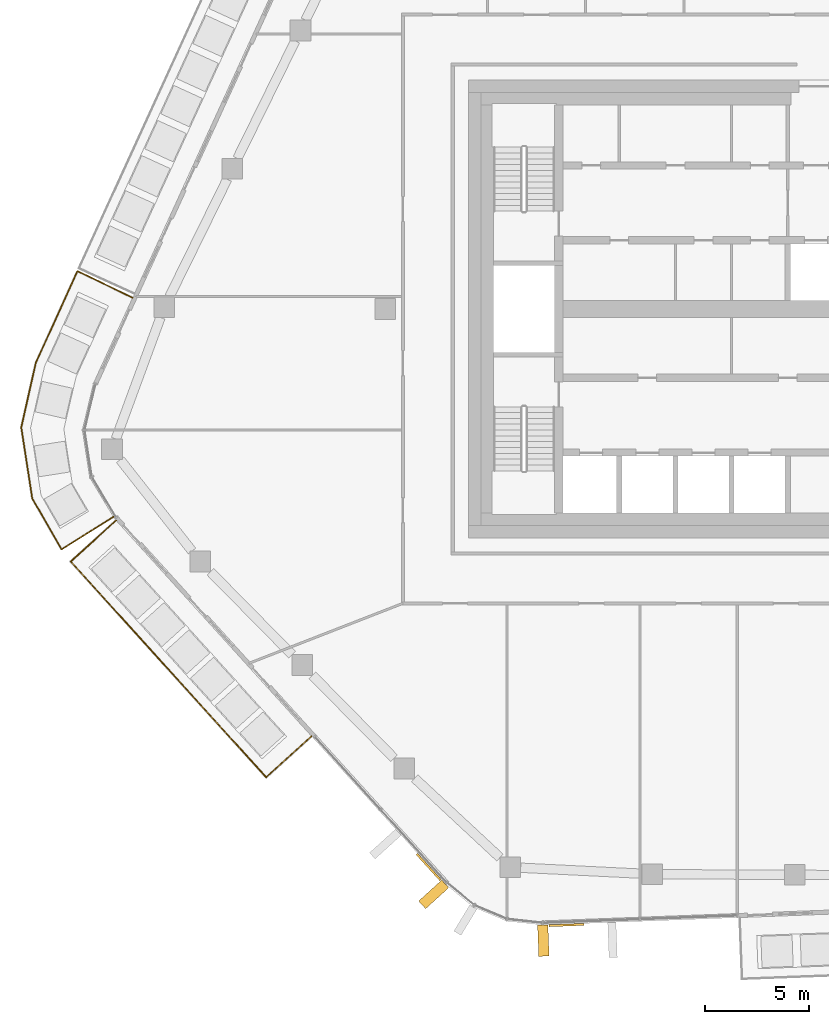
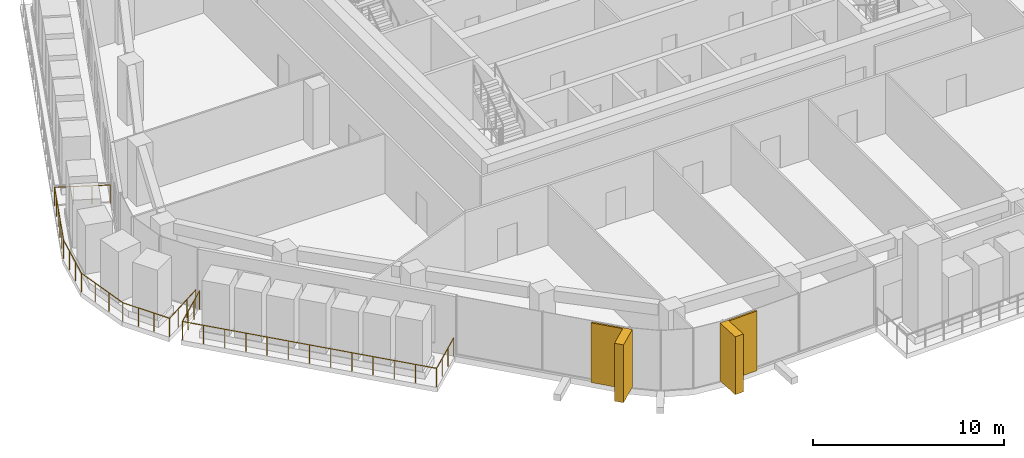
# One storey, part 18 of 23: 4 coverings, 2 railings, 2 elements without a shape of their own.
"""IFC4 building model written with IfcOpenShell, lengths in metres."""

from ifc_helpers import new_model, si_unit, direction, frame, origin, origin_2d, place, context, subcontext, project, spatial, rectangle, circle, extrude, material, layer, layer_set, material_profile, profile_set, type_object, element, aggregate, save


model = new_model("IFC4")

# Units and contexts
model_context = context("Model", 3, precision=1e-05, world=origin(), true_north=direction((0.0, 1.0)))
body_context = subcontext(model_context, "Body", "Model", "MODEL_VIEW")
ifc_project = project(units=[si_unit("LENGTHUNIT", "METRE"), si_unit("AREAUNIT", "SQUARE_METRE"), si_unit("VOLUMEUNIT", "CUBIC_METRE"), si_unit("PLANEANGLEUNIT", "RADIAN"), si_unit("MASSUNIT", "GRAM", prefix="KILO")], contexts=[model_context])

# Site, building, storey
site_placement = place(None, origin())
site = spatial("IfcSite", under=ifc_project, at=site_placement, CompositionType="ELEMENT")
building_placement = place(site_placement, origin())
building = spatial("IfcBuilding", under=site, at=building_placement, Name="Dongbaek Canopy Tower", CompositionType="ELEMENT")
storey_placement = place(building_placement, frame((0.0, 0.0, 315.199951171875)))
storey = spatial("IfcBuildingStorey", under=building, at=storey_placement, Name="L67", CompositionType="ELEMENT", Elevation=315.199951171875)

# Railings
ifc_material_1 = material(Name="Stainless steel", Category="steel")
railing_type = type_object("IfcRailingType", Name="Balcony balustrade 1200", PredefinedType="BALUSTRADE", material=ifc_material_1)
railing_1_placement = place(storey_placement, frame((-30.14013671875, 0.542236328125, 0.0)))
element("IfcRailing", 1, at=railing_1_placement, inside=storey, type_object=railing_type, Name="Balcony guard L67 6", PredefinedType="BALUSTRADE", context=body_context, shape_type="SweptSolid", body=[
    extrude(circle(Radius=0.02392578125, at=origin_2d()), frame((0.0, 0.0, 1.17578125), z_axis=(-0.900809276441, 0.434214978413, 0.0), x_axis=(-0.434214978413, -0.900809276441, 0.0)), (0.0, 0.0, 1.0), 2.940673828125),
    extrude(circle(Radius=0.02392578125, at=origin_2d()), frame((-2.64892578125, 1.27685546875, 1.17578125), z_axis=(-0.413113515831, -0.910679539156, 0.0), x_axis=(0.910679539156, -0.413113515831, 0.0)), (0.0, 0.0, 1.0), 4.856689453125),
    extrude(circle(Radius=0.02392578125, at=origin_2d()), frame((-4.6552734375, -3.14599609375, 1.17578125), z_axis=(-0.219794695374, -0.975546150567, 0.0), x_axis=(0.975546150567, -0.219794695374, 0.0)), (0.0, 0.0, 1.0), 3.166748046875),
    extrude(circle(Radius=0.02392578125, at=origin_2d()), frame((-5.351318359375, -6.2353515625, 1.17578125), z_axis=(0.152977389542, -0.988229689034, 0.0), x_axis=(0.988229689034, 0.152977389542, 0.0)), (0.0, 0.0, 1.0), 3.44873046875),
    extrude(circle(Radius=0.02392578125, at=origin_2d()), frame((-4.82373046875, -9.6435546875, 1.17578125), z_axis=(0.498856538672, -0.866684575739, 0.0), x_axis=(0.866684575739, 0.498856538672, 0.0)), (0.0, 0.0, 1.0), 2.832275390625),
    extrude(circle(Radius=0.02392578125, at=origin_2d()), frame((-3.410888671875, -12.09814453125, 1.17578125), z_axis=(0.846103874328, 0.533018042703, 0.0), x_axis=(-0.533018042703, 0.846103874328, 0.0)), (0.0, 0.0, 1.0), 2.940673828125),
    extrude(circle(Radius=0.02099609375, at=origin_2d()), origin(), (0.0, 0.0, 1.0), 1.15185546875),
    extrude(circle(Radius=0.02099609375, at=origin_2d()), frame((-0.883056640625, 0.425537109375, 0.0)), (0.0, 0.0, 1.0), 1.15185546875),
    extrude(circle(Radius=0.02099609375, at=origin_2d()), frame((-1.765869140625, 0.851318359375, 0.0)), (0.0, 0.0, 1.0), 1.15185546875),
    extrude(circle(Radius=0.02099609375, at=origin_2d()), frame((-2.64892578125, 1.27685546875, 0.0)), (0.0, 0.0, 1.0), 1.15185546875),
    extrude(circle(Radius=0.02099609375, at=origin_2d()), frame((-3.05029296875, 0.392333984375, 0.0)), (0.0, 0.0, 1.0), 1.15185546875),
    extrude(circle(Radius=0.02099609375, at=origin_2d()), frame((-3.451416015625, -0.4921875, 0.0)), (0.0, 0.0, 1.0), 1.15185546875),
    extrude(circle(Radius=0.02099609375, at=origin_2d()), frame((-3.852783203125, -1.376953125, 0.0)), (0.0, 0.0, 1.0), 1.15185546875),
    extrude(circle(Radius=0.02099609375, at=origin_2d()), frame((-4.25390625, -2.261474609375, 0.0)), (0.0, 0.0, 1.0), 1.15185546875),
    extrude(circle(Radius=0.02099609375, at=origin_2d()), frame((-4.6552734375, -3.14599609375, 0.0)), (0.0, 0.0, 1.0), 1.15185546875),
    extrude(circle(Radius=0.02099609375, at=origin_2d()), frame((-4.88720703125, -4.17578125, 0.0)), (0.0, 0.0, 1.0), 1.15185546875),
    extrude(circle(Radius=0.02099609375, at=origin_2d()), frame((-5.119384765625, -5.20556640625, 0.0)), (0.0, 0.0, 1.0), 1.15185546875),
    extrude(circle(Radius=0.02099609375, at=origin_2d()), frame((-5.351318359375, -6.2353515625, 0.0)), (0.0, 0.0, 1.0), 1.15185546875),
    extrude(circle(Radius=0.02099609375, at=origin_2d()), frame((-5.175537109375, -7.371337890625, 0.0)), (0.0, 0.0, 1.0), 1.15185546875),
    extrude(circle(Radius=0.02099609375, at=origin_2d()), frame((-4.99951171875, -8.507568359375, 0.0)), (0.0, 0.0, 1.0), 1.15185546875),
    extrude(circle(Radius=0.02099609375, at=origin_2d()), frame((-4.82373046875, -9.6435546875, 0.0)), (0.0, 0.0, 1.0), 1.15185546875),
    extrude(circle(Radius=0.02099609375, at=origin_2d()), frame((-4.352783203125, -10.461669921875, 0.0)), (0.0, 0.0, 1.0), 1.15185546875),
    extrude(circle(Radius=0.02099609375, at=origin_2d()), frame((-3.8818359375, -11.280029296875, 0.0)), (0.0, 0.0, 1.0), 1.15185546875),
    extrude(circle(Radius=0.02099609375, at=origin_2d()), frame((-3.410888671875, -12.09814453125, 0.0)), (0.0, 0.0, 1.0), 1.15185546875),
    extrude(circle(Radius=0.02099609375, at=origin_2d()), frame((-2.58154296875, -11.57568359375, 0.0)), (0.0, 0.0, 1.0), 1.15185546875),
    extrude(circle(Radius=0.02099609375, at=origin_2d()), frame((-1.752197265625, -11.05322265625, 0.0)), (0.0, 0.0, 1.0), 1.15185546875),
    extrude(circle(Radius=0.02099609375, at=origin_2d()), frame((-0.9228515625, -10.53076171875, 0.0)), (0.0, 0.0, 1.0), 1.15185546875),
])
railing_2_placement = place(storey_placement, frame((-30.932373046875, -10.164306640625, 0.0)))
element("IfcRailing", 2, at=railing_2_placement, inside=storey, type_object=railing_type, Name="Balcony guard L67 3", PredefinedType="BALUSTRADE", context=body_context, shape_type="SweptSolid", body=[
    extrude(circle(Radius=0.02392578125, at=origin_2d()), frame((0.0, 0.0, 1.17578125), z_axis=(-0.741279984861, -0.671195935659, 0.0), x_axis=(0.671195935659, -0.741279984861, 0.0)), (0.0, 0.0, 1.0), 2.940185546875),
    extrude(circle(Radius=0.02392578125, at=origin_2d()), frame((-2.179443359375, -1.973388671875, 1.17578125), z_axis=(0.671228063457, -0.741250893307, 0.0), x_axis=(0.741250893307, 0.671228063457, 0.0)), (0.0, 0.0, 1.0), 13.99169921875),
    extrude(circle(Radius=0.02392578125, at=origin_2d()), frame((7.212158203125, -12.3447265625, 1.17578125), z_axis=(0.741279984861, 0.671195935659, 0.0), x_axis=(-0.671195935659, 0.741279984861, 0.0)), (0.0, 0.0, 1.0), 2.940185546875),
    extrude(circle(Radius=0.02099609375, at=origin_2d()), origin(), (0.0, 0.0, 1.0), 1.15185546875),
    extrude(circle(Radius=0.02099609375, at=origin_2d()), frame((-0.7265625, -0.65771484375, 0.0)), (0.0, 0.0, 1.0), 1.15185546875),
    extrude(circle(Radius=0.02099609375, at=origin_2d()), frame((-1.452880859375, -1.315673828125, 0.0)), (0.0, 0.0, 1.0), 1.15185546875),
    extrude(circle(Radius=0.02099609375, at=origin_2d()), frame((-2.179443359375, -1.973388671875, 0.0)), (0.0, 0.0, 1.0), 1.15185546875),
    extrude(circle(Radius=0.02099609375, at=origin_2d()), frame((-1.396728515625, -2.837646484375, 0.0)), (0.0, 0.0, 1.0), 1.15185546875),
    extrude(circle(Radius=0.02099609375, at=origin_2d()), frame((-0.6142578125, -3.701904296875, 0.0)), (0.0, 0.0, 1.0), 1.15185546875),
    extrude(circle(Radius=0.02099609375, at=origin_2d()), frame((0.16845703125, -4.566162109375, 0.0)), (0.0, 0.0, 1.0), 1.15185546875),
    extrude(circle(Radius=0.02099609375, at=origin_2d()), frame((0.951171875, -5.430419921875, 0.0)), (0.0, 0.0, 1.0), 1.15185546875),
    extrude(circle(Radius=0.02099609375, at=origin_2d()), frame((1.733642578125, -6.294677734375, 0.0)), (0.0, 0.0, 1.0), 1.15185546875),
    extrude(circle(Radius=0.02099609375, at=origin_2d()), frame((2.516357421875, -7.1591796875, 0.0)), (0.0, 0.0, 1.0), 1.15185546875),
    extrude(circle(Radius=0.02099609375, at=origin_2d()), frame((3.299072265625, -8.0234375, 0.0)), (0.0, 0.0, 1.0), 1.15185546875),
    extrude(circle(Radius=0.02099609375, at=origin_2d()), frame((4.08154296875, -8.8876953125, 0.0)), (0.0, 0.0, 1.0), 1.15185546875),
    extrude(circle(Radius=0.02099609375, at=origin_2d()), frame((4.8642578125, -9.751953125, 0.0)), (0.0, 0.0, 1.0), 1.15185546875),
    extrude(circle(Radius=0.02099609375, at=origin_2d()), frame((5.64697265625, -10.6162109375, 0.0)), (0.0, 0.0, 1.0), 1.15185546875),
    extrude(circle(Radius=0.02099609375, at=origin_2d()), frame((6.429443359375, -11.48046875, 0.0)), (0.0, 0.0, 1.0), 1.15185546875),
    extrude(circle(Radius=0.02099609375, at=origin_2d()), frame((7.212158203125, -12.3447265625, 0.0)), (0.0, 0.0, 1.0), 1.15185546875),
    extrude(circle(Radius=0.02099609375, at=origin_2d()), frame((7.938720703125, -11.68701171875, 0.0)), (0.0, 0.0, 1.0), 1.15185546875),
    extrude(circle(Radius=0.02099609375, at=origin_2d()), frame((8.6650390625, -11.029052734375, 0.0)), (0.0, 0.0, 1.0), 1.15185546875),
    extrude(circle(Radius=0.02099609375, at=origin_2d()), frame((9.3916015625, -10.371337890625, 0.0)), (0.0, 0.0, 1.0), 1.15185546875),
])

# Curtain wall, covering
ifc_material_2 = material(Name="Aluminium 6063-T6 pale anodised", Category="aluminium")
ifc_layer_1 = layer(ifc_material_2, 0.199951171875)
ifc_layer_set_1 = layer_set([ifc_layer_1], Name="CW-1 unitised tower curtain wall")
curtain_wall_type = type_object("IfcCurtainWallType", Name="CW-1 unitised tower curtain wall", PredefinedType="NOTDEFINED", material=ifc_layer_set_1)
curtain_wall_1_placement = place(storey_placement, origin())
curtain_wall_1 = element("IfcCurtainWall", 3, at=curtain_wall_1_placement, inside=storey, type_object=curtain_wall_type, Name="CW-1 curtain wall F3.1", PredefinedType="NOTDEFINED")
ifc_material_3 = material(Name="Perforated aluminium 6063-T6 pale metal screen", Category="aluminium")
ifc_layer_2 = layer(ifc_material_3, 0.10009765625)
ifc_layer_set_2 = layer_set([ifc_layer_2], Name="Facet screen FS1 100 pale metal")
covering_type_1 = type_object("IfcCoveringType", Name="Facet screen FS1 100 pale metal", PredefinedType="CLADDING", material=ifc_layer_set_2)
covering_1_placement = place(storey_placement, frame((-15.911376953125, -26.821044921875, 0.0), z_axis=(0.0, 0.0, 1.0), x_axis=(0.671223946494, -0.741254621337, 0.0)))
covering_1 = element("IfcCovering", 4, at=covering_1_placement, type_object=covering_type_1, Name="Facet screen L67 F3", PredefinedType="CLADDING", context=body_context, shape_type="SweptSolid", body=[
    extrude(rectangle(XDim=1.698974609375, YDim=0.10009765625, at=origin_2d()), origin(), (0.0, 0.0, 1.0), 3.820068359375),
])

curtain_wall_2_placement = place(storey_placement, origin())
curtain_wall_2 = element("IfcCurtainWall", 5, at=curtain_wall_2_placement, inside=storey, type_object=curtain_wall_type, Name="CW-1 curtain wall F4.1", PredefinedType="NOTDEFINED")
covering_2_placement = place(storey_placement, frame((-9.29296875, -29.611572265625, 0.0), z_axis=(0.0, 0.0, 1.0), x_axis=(0.99928861722, 0.037712855819, 0.0)))
covering_2 = element("IfcCovering", 6, at=covering_2_placement, type_object=covering_type_1, Name="Facet screen L67 F4", PredefinedType="CLADDING", context=body_context, shape_type="SweptSolid", body=[
    extrude(rectangle(XDim=1.685302734375, YDim=0.10009765625, at=origin_2d()), origin(), (0.0, 0.0, 1.0), 3.820068359375),
])

# Covering
ifc_material_4 = material(Name="Aluminium 6063-T6 pale metal fin", Category="aluminium")
ifc_material_profile = material_profile(ifc_material_4, rectangle(XDim=1.5, YDim=0.5, at=origin_2d()), Name="Fin FN1 500 x 1500 pale metal")
ifc_profile_set = profile_set([ifc_material_profile], Name="Aluminium 6063-T6 pale metal fin")
covering_type_2 = type_object("IfcCoveringType", Name="Fin FN1 500 x 1500 pale metal", PredefinedType="CLADDING", material=ifc_profile_set)
covering_3_placement = place(storey_placement, frame((-15.66845703125, -28.13818359375, 0.1201171875), z_axis=(0.0, 0.0, 1.0), x_axis=(-0.741254096478, -0.671224526112, 0.0)))
covering_3 = element("IfcCovering", 7, at=covering_3_placement, type_object=covering_type_2, Name="Fin F3.1.3", PredefinedType="CLADDING", context=body_context, shape_type="SweptSolid", body=[
    extrude(rectangle(XDim=1.5, YDim=0.5, at=origin_2d()), origin(), (0.0, 0.0, 1.0), 3.699951171875),
])

aggregate(curtain_wall_1, [covering_3, covering_1])

covering_4_placement = place(storey_placement, frame((-10.398193359375, -30.357666015625, 0.1201171875), z_axis=(0.0, 0.0, 1.0), x_axis=(0.037712000431, -0.999288649502, 0.0)))
covering_4 = element("IfcCovering", 8, at=covering_4_placement, type_object=covering_type_2, Name="Fin F4.1.1", PredefinedType="CLADDING", context=body_context, shape_type="SweptSolid", body=[
    extrude(rectangle(XDim=1.5, YDim=0.5, at=origin_2d()), origin(), (0.0, 0.0, 1.0), 3.699951171875),
])

aggregate(curtain_wall_2, [covering_4, covering_2])

save(model, "model.ifc")
